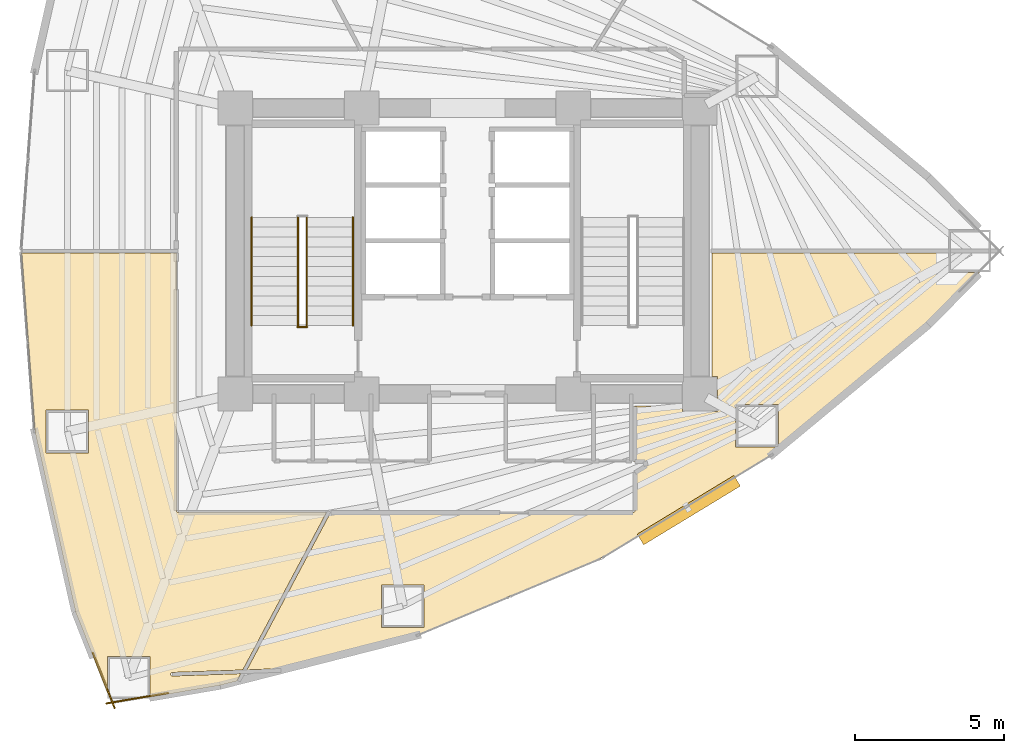
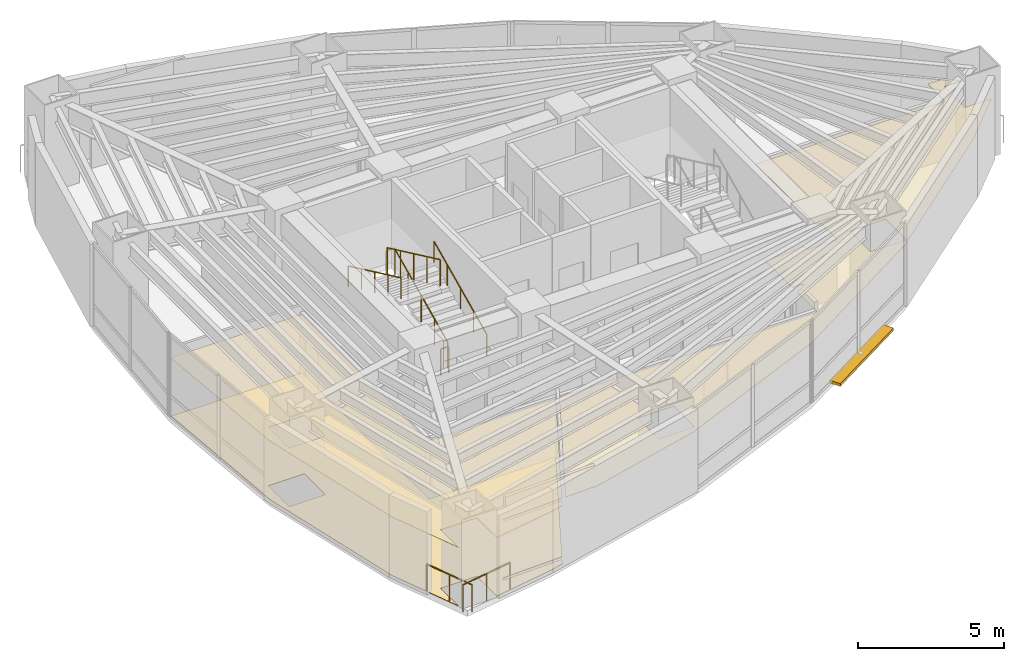
# One storey, part 16 of 18: 7 railings, 3 coverings, 1 shading device.
"""IFC4 building model written with IfcOpenShell, lengths in metres."""

from ifc_helpers import new_model, si_unit, direction, frame, origin, origin_2d, place, context, subcontext, project, spatial, polyline, rectangle, circle, outline, extrude, material, layer, layer_set, type_object, element, save


model = new_model("IFC4")

# Units and contexts
model_context = context("Model", 3, precision=1e-05, world=origin(), true_north=direction((0.0, 1.0)))
body_context = subcontext(model_context, "Body", "Model", "MODEL_VIEW")
ifc_project = project(units=[si_unit("LENGTHUNIT", "METRE"), si_unit("AREAUNIT", "SQUARE_METRE"), si_unit("VOLUMEUNIT", "CUBIC_METRE"), si_unit("PLANEANGLEUNIT", "RADIAN"), si_unit("MASSUNIT", "GRAM", prefix="KILO")], contexts=[model_context])

# Site, building, storey
site_placement = place(None, origin())
site = spatial("IfcSite", under=ifc_project, at=site_placement, CompositionType="ELEMENT")
building_placement = place(site_placement, origin())
building = spatial("IfcBuilding", under=site, at=building_placement, Name="Menara Vayukalpa", CompositionType="ELEMENT")
storey_placement = place(building_placement, frame((0.0, 0.0, 31.320068359375)))
storey = spatial("IfcBuildingStorey", under=building, at=storey_placement, Name="L06", CompositionType="ELEMENT", Elevation=31.320068359375)

# Coverings
ifc_material_1 = material(Name="Mineral Fibre Acoustic Ceiling Tile", Category="masonry")
ifc_layer_1 = layer(ifc_material_1, 0.02490234375)
ifc_layer_set_1 = layer_set([ifc_layer_1], Name="Mineral Fibre Acoustic Ceiling Tile")
covering_type_1 = type_object("IfcCoveringType", Name="COV-CLG1", PredefinedType="CEILING", material=ifc_layer_set_1)
covering_1_placement = place(storey_placement, frame((0.0, 0.0, 2.449951171875)))
element("IfcCovering", 1, at=covering_1_placement, inside=storey, type_object=covering_type_1, Name="L06 Open Plan Office Workplace Acoustic Ceiling", PredefinedType="CEILING", context=body_context, shape_type="SweptSolid", body=[
    extrude(outline(polyline([(12.4375, 9.883056640625), (12.437255859375, 9.8837890625), (12.43701171875, 9.884521484375), (11.07421875, 15.941162109375), (11.073974609375, 15.942626953125), (10.625, 21.92919921875), (10.625, 21.93017578125), (10.625, 21.93115234375), (10.625244140625, 21.93212890625), (10.62548828125, 21.93310546875), (10.625732421875, 21.93408203125), (10.626220703125, 21.934814453125), (10.626708984375, 21.935791015625), (10.627197265625, 21.936279296875), (10.6279296875, 21.93701171875), (10.628662109375, 21.937744140625), (10.62939453125, 21.9384765625), (10.63037109375, 21.93896484375), (10.631103515625, 21.939208984375), (10.632080078125, 21.939697265625), (10.633056640625, 21.939697265625), (10.634033203125, 21.93994140625), (10.635009765625, 21.93994140625), (15.820068359375, 21.93994140625), (15.821044921875, 21.93994140625), (15.822021484375, 21.939697265625), (15.822998046875, 21.939697265625), (15.82373046875, 21.939208984375), (15.82470703125, 21.938720703125), (15.82568359375, 21.938232421875), (15.826416015625, 21.937744140625), (15.8271484375, 21.93701171875), (15.82763671875, 21.936279296875), (15.828369140625, 21.935546875), (15.828857421875, 21.934814453125), (15.8291015625, 21.933837890625), (15.82958984375, 21.932861328125), (15.829833984375, 21.931884765625), (15.830078125, 21.930908203125), (15.830078125, 21.929931640625), (15.830078125, 13.290283203125), (15.830322265625, 13.283203125), (15.831298828125, 13.2763671875), (15.8330078125, 13.269775390625), (15.835205078125, 13.26318359375), (15.838134765625, 13.257080078125), (15.841796875, 13.251220703125), (15.845947265625, 13.24560546875), (15.8505859375, 13.240478515625), (15.85546875, 13.236083984375), (15.861083984375, 13.231689453125), (15.866943359375, 13.228271484375), (15.873291015625, 13.225341796875), (15.879638671875, 13.222900390625), (15.88623046875, 13.22119140625), (15.893310546875, 13.220458984375), (15.900390625, 13.219970703125), (20.846923828125, 13.219970703125), (20.847900390625, 13.219970703125), (20.848876953125, 13.2197265625), (20.849853515625, 13.219482421875), (20.850830078125, 13.21923828125), (20.851806640625, 13.21875), (20.8525390625, 13.21826171875), (20.853271484375, 13.2177734375), (20.85400390625, 13.217041015625), (20.854736328125, 13.21630859375), (20.855224609375, 13.215576171875), (20.855712890625, 13.214599609375), (20.856201171875, 13.2138671875), (20.856689453125, 13.212890625), (20.856689453125, 13.2119140625), (20.85693359375, 13.2109375), (20.85693359375, 13.2099609375), (20.85693359375, 13.208984375), (20.856689453125, 13.2080078125), (20.856689453125, 13.20703125), (20.856201171875, 13.206298828125), (20.855712890625, 13.205322265625), (18.054443359375, 7.936767578125), (18.053955078125, 7.935791015625), (18.053466796875, 7.93505859375), (18.052734375, 7.934326171875), (18.052001953125, 7.933837890625), (18.05126953125, 7.93310546875), (18.050537109375, 7.9326171875), (18.049560546875, 7.932373046875), (18.048828125, 7.931884765625), (18.0478515625, 7.931640625), (18.046875, 7.931396484375), (18.0458984375, 7.931396484375), (15.68798828125, 7.84912109375), (15.681884765625, 7.8486328125), (15.67626953125, 7.847412109375), (15.67041015625, 7.845703125), (15.6650390625, 7.84375), (15.659912109375, 7.8408203125), (15.65478515625, 7.837890625), (15.650146484375, 7.833984375), (15.64599609375, 7.830078125), (15.642333984375, 7.825439453125), (15.638916015625, 7.82080078125), (15.635986328125, 7.8154296875), (15.6337890625, 7.81005859375), (15.632080078125, 7.804443359375), (15.630615234375, 7.798583984375), (15.630126953125, 7.79296875), (15.6298828125, 7.786865234375), (15.63037109375, 7.781005859375), (15.631591796875, 7.775390625), (15.63330078125, 7.76953125), (15.63525390625, 7.76416015625), (15.63818359375, 7.7587890625), (15.64111328125, 7.754150390625), (15.64501953125, 7.74951171875), (15.64892578125, 7.7451171875), (15.653564453125, 7.741455078125), (15.658447265625, 7.738037109375), (15.66357421875, 7.735107421875), (15.6689453125, 7.73291015625), (15.674560546875, 7.731201171875), (15.680419921875, 7.72998046875), (15.686279296875, 7.729248046875), (15.6923828125, 7.72900390625), (17.969482421875, 7.80859375), (17.97021484375, 7.80859375), (17.97119140625, 7.80859375), (17.972412109375, 7.808349609375), (17.973388671875, 7.807861328125), (17.97412109375, 7.8076171875), (17.97509765625, 7.80712890625), (17.975830078125, 7.806396484375), (17.9765625, 7.805908203125), (17.977294921875, 7.80517578125), (17.977783203125, 7.80419921875), (17.978515625, 7.803466796875), (17.97900390625, 7.802490234375), (17.979248046875, 7.801513671875), (17.9794921875, 7.80078125), (17.9794921875, 7.7998046875), (17.979736328125, 7.798583984375), (17.979736328125, 7.797607421875), (17.9794921875, 7.796630859375), (17.979248046875, 7.795654296875), (17.97900390625, 7.794921875), (17.978515625, 7.7939453125), (17.86767578125, 7.585205078125), (17.864990234375, 7.57958984375), (17.863037109375, 7.57421875), (17.861572265625, 7.568603515625), (17.861572265625, 7.568359375), (17.861328125, 7.5673828125), (17.861083984375, 7.56640625), (17.860595703125, 7.5654296875), (17.860107421875, 7.564697265625), (17.859375, 7.563720703125), (17.858642578125, 7.56298828125), (17.85791015625, 7.5625), (17.857177734375, 7.561767578125), (17.856201171875, 7.561279296875), (17.855224609375, 7.560791015625), (17.854248046875, 7.560546875), (17.285888671875, 7.415771484375), (17.28515625, 7.41552734375), (14.9326171875, 7.01611328125), (14.9326171875, 8.380615234375), (13.502685546875, 8.380615234375), (13.502685546875, 7.1708984375), (12.4375, 9.883056640625)]), holes=[polyline([(12.879150390625, 16.655517578125), (11.44921875, 16.655517578125), (11.44921875, 15.225341796875), (12.879150390625, 15.225341796875), (12.879150390625, 16.655517578125)])]), origin(), (0.0, 0.0, 1.0), 0.02490234375),
])
covering_2_placement = place(storey_placement, frame((0.0, 0.0, 2.449951171875)))
element("IfcCovering", 2, at=covering_2_placement, inside=storey, type_object=covering_type_1, Name="L06 Executive Boardroom Acoustic Ceiling", PredefinedType="CEILING", context=body_context, shape_type="SweptSolid", body=[
    extrude(outline(polyline([(23.916015625, 9.106689453125), (23.914794921875, 9.106201171875), (19.385498046875, 7.951171875), (19.384521484375, 7.950927734375), (19.38330078125, 7.95068359375), (19.382568359375, 7.95068359375), (19.381591796875, 7.950927734375), (19.380615234375, 7.951171875), (19.379638671875, 7.951416015625), (19.378662109375, 7.95166015625), (19.377685546875, 7.9521484375), (19.376953125, 7.95263671875), (19.376220703125, 7.953369140625), (19.37548828125, 7.9541015625), (19.375, 7.954833984375), (19.3740234375, 7.955810546875), (19.3701171875, 7.960205078125), (19.365478515625, 7.9638671875), (19.360595703125, 7.96728515625), (19.355712890625, 7.969970703125), (19.35009765625, 7.972412109375), (19.344482421875, 7.97412109375), (19.3388671875, 7.975341796875), (19.3330078125, 7.97607421875), (19.326904296875, 7.97607421875), (18.20751953125, 7.93701171875), (18.20654296875, 7.93701171875), (18.20556640625, 7.93701171875), (18.20458984375, 7.937255859375), (18.20361328125, 7.937744140625), (18.20263671875, 7.93798828125), (18.201904296875, 7.9384765625), (18.200927734375, 7.939208984375), (18.2001953125, 7.939697265625), (18.19970703125, 7.9404296875), (18.198974609375, 7.94140625), (18.198486328125, 7.942138671875), (18.197998046875, 7.943115234375), (18.19775390625, 7.944091796875), (18.197509765625, 7.94482421875), (18.197265625, 7.94580078125), (18.197265625, 7.947021484375), (18.197265625, 7.947998046875), (18.197509765625, 7.948974609375), (18.197509765625, 7.949951171875), (18.197998046875, 7.95068359375), (18.198486328125, 7.95166015625), (20.996826171875, 13.214599609375), (20.997314453125, 13.215576171875), (20.997802734375, 13.21630859375), (20.99853515625, 13.217041015625), (20.999267578125, 13.2177734375), (21.0, 13.21826171875), (21.0009765625, 13.21875), (21.001708984375, 13.21923828125), (21.002685546875, 13.219482421875), (21.003662109375, 13.2197265625), (21.004638671875, 13.219970703125), (21.005615234375, 13.219970703125), (31.149658203125, 13.219970703125), (31.15673828125, 13.220458984375), (31.163818359375, 13.22119140625), (31.17041015625, 13.222900390625), (31.1767578125, 13.225341796875), (31.18310546875, 13.228271484375), (31.188720703125, 13.231689453125), (31.194580078125, 13.236083984375), (31.199462890625, 13.240478515625), (31.2041015625, 13.24560546875), (31.208251953125, 13.251220703125), (31.2119140625, 13.257080078125), (31.214599609375, 13.26318359375), (31.217041015625, 13.269775390625), (31.21875, 13.2763671875), (31.219482421875, 13.283203125), (31.219970703125, 13.290283203125), (31.219970703125, 14.55810546875), (31.22021484375, 14.55908203125), (31.22021484375, 14.56005859375), (31.220458984375, 14.56103515625), (31.220703125, 14.56201171875), (31.22119140625, 14.56298828125), (31.2216796875, 14.563720703125), (31.222412109375, 14.564697265625), (31.22314453125, 14.565185546875), (31.22412109375, 14.56591796875), (31.224853515625, 14.56640625), (31.5927734375, 14.7900390625), (31.5986328125, 14.794189453125), (31.60400390625, 14.798583984375), (31.60888671875, 14.803466796875), (31.61328125, 14.80908203125), (31.6171875, 14.81494140625), (31.620361328125, 14.821044921875), (31.622802734375, 14.82763671875), (31.624755859375, 14.83447265625), (31.626220703125, 14.84130859375), (31.626708984375, 14.84814453125), (31.62646484375, 14.85498046875), (31.62548828125, 14.862060546875), (31.6240234375, 14.868896484375), (31.621826171875, 14.87548828125), (31.618896484375, 14.8818359375), (31.615478515625, 14.887939453125), (31.611328125, 14.8935546875), (31.606689453125, 14.898681640625), (31.6015625, 14.903564453125), (31.59619140625, 14.90771484375), (31.590087890625, 14.911376953125), (31.583740234375, 14.91455078125), (31.5771484375, 14.916748046875), (31.570556640625, 14.918701171875), (31.563720703125, 14.919677734375), (31.556396484375, 14.919921875), (31.219970703125, 14.919921875), (31.218994140625, 14.919921875), (31.218017578125, 14.920166015625), (31.217041015625, 14.92041015625), (31.21630859375, 14.9208984375), (31.21533203125, 14.921142578125), (31.21435546875, 14.921630859375), (31.213623046875, 14.92236328125), (31.212890625, 14.9228515625), (31.21240234375, 14.923583984375), (31.211669921875, 14.92431640625), (31.211181640625, 14.92529296875), (31.210693359375, 14.92626953125), (31.21044921875, 14.927001953125), (31.210205078125, 14.927978515625), (31.2099609375, 14.928955078125), (31.2099609375, 14.929931640625), (31.2099609375, 16.780029296875), (31.2099609375, 16.781005859375), (31.210205078125, 16.781982421875), (31.21044921875, 16.782958984375), (31.210693359375, 16.78369140625), (31.211181640625, 16.78466796875), (31.211669921875, 16.78564453125), (31.21240234375, 16.786376953125), (31.212890625, 16.787109375), (31.213623046875, 16.78759765625), (31.21435546875, 16.788330078125), (31.21533203125, 16.788818359375), (31.21630859375, 16.789306640625), (31.217041015625, 16.78955078125), (31.218017578125, 16.789794921875), (31.218994140625, 16.7900390625), (31.219970703125, 16.7900390625), (32.389892578125, 16.7900390625), (32.389892578125, 16.85009765625), (32.81005859375, 16.85009765625), (32.81005859375, 16.610107421875), (33.989990234375, 16.610107421875), (33.989990234375, 17.7900390625), (33.81005859375, 17.7900390625), (33.81005859375, 21.929931640625), (33.81005859375, 21.930908203125), (33.810302734375, 21.931884765625), (33.810302734375, 21.932861328125), (33.810791015625, 21.933837890625), (33.811279296875, 21.934814453125), (33.811767578125, 21.935546875), (33.812255859375, 21.936279296875), (33.81298828125, 21.93701171875), (33.813720703125, 21.937744140625), (33.814453125, 21.938232421875), (33.815185546875, 21.938720703125), (33.816162109375, 21.939208984375), (33.817138671875, 21.939697265625), (33.818115234375, 21.939697265625), (33.819091796875, 21.93994140625), (33.820068359375, 21.93994140625), (41.329833984375, 21.93994140625), (41.329833984375, 23.135009765625), (42.008056640625, 23.135009765625), (42.42041015625, 22.715087890625), (41.749755859375, 22.715087890625), (41.749755859375, 21.284912109375), (42.798828125, 21.284912109375), (41.078369140625, 19.53271484375), (41.07763671875, 19.531982421875), (35.81201171875, 15.165283203125), (35.810791015625, 15.164306640625), (30.09130859375, 11.68994140625), (30.090576171875, 11.689697265625), (30.08984375, 11.689208984375), (23.916015625, 9.106689453125)]), holes=[polyline([(24.134521484375, 10.792236328125), (22.704345703125, 10.792236328125), (22.704345703125, 9.3623046875), (24.134521484375, 9.3623046875), (24.134521484375, 10.792236328125)]), polyline([(36.032958984375, 16.851806640625), (34.60302734375, 16.851806640625), (34.60302734375, 15.421875), (36.032958984375, 15.421875), (36.032958984375, 16.851806640625)])]), origin(), (0.0, 0.0, 1.0), 0.02490234375),
])
ifc_material_2 = material(Name="Porcelain Stoneware Floor Tile", Category="masonry")
ifc_layer_2 = layer(ifc_material_2, 0.02001953125)
ifc_layer_set_2 = layer_set([ifc_layer_2], Name="Porcelain Stoneware Floor Tile")
covering_type_2 = type_object("IfcCoveringType", Name="COV-FLR1", PredefinedType="FLOORING", material=ifc_layer_set_2)
covering_3_placement = place(storey_placement, origin())
element("IfcCovering", 3, at=covering_3_placement, inside=storey, type_object=covering_type_2, Name="L06 Open Plan Office Workplace Porcelain Flooring", PredefinedType="FLOORING", context=body_context, shape_type="SweptSolid", body=[
    extrude(outline(polyline([(12.4375, 9.883056640625), (12.437255859375, 9.8837890625), (12.43701171875, 9.884521484375), (11.07421875, 15.941162109375), (11.073974609375, 15.942626953125), (10.625, 21.92919921875), (10.625, 21.93017578125), (10.625, 21.93115234375), (10.625244140625, 21.93212890625), (10.62548828125, 21.93310546875), (10.625732421875, 21.93408203125), (10.626220703125, 21.934814453125), (10.626708984375, 21.935791015625), (10.627197265625, 21.936279296875), (10.6279296875, 21.93701171875), (10.628662109375, 21.937744140625), (10.62939453125, 21.9384765625), (10.63037109375, 21.93896484375), (10.631103515625, 21.939208984375), (10.632080078125, 21.939697265625), (10.633056640625, 21.939697265625), (10.634033203125, 21.93994140625), (10.635009765625, 21.93994140625), (15.820068359375, 21.93994140625), (15.821044921875, 21.93994140625), (15.822021484375, 21.939697265625), (15.822998046875, 21.939697265625), (15.82373046875, 21.939208984375), (15.82470703125, 21.938720703125), (15.82568359375, 21.938232421875), (15.826416015625, 21.937744140625), (15.8271484375, 21.93701171875), (15.82763671875, 21.936279296875), (15.828369140625, 21.935546875), (15.828857421875, 21.934814453125), (15.8291015625, 21.933837890625), (15.82958984375, 21.932861328125), (15.829833984375, 21.931884765625), (15.830078125, 21.930908203125), (15.830078125, 21.929931640625), (15.830078125, 13.290283203125), (15.830322265625, 13.283203125), (15.831298828125, 13.2763671875), (15.8330078125, 13.269775390625), (15.835205078125, 13.26318359375), (15.838134765625, 13.257080078125), (15.841796875, 13.251220703125), (15.845947265625, 13.24560546875), (15.8505859375, 13.240478515625), (15.85546875, 13.236083984375), (15.861083984375, 13.231689453125), (15.866943359375, 13.228271484375), (15.873291015625, 13.225341796875), (15.879638671875, 13.222900390625), (15.88623046875, 13.22119140625), (15.893310546875, 13.220458984375), (15.900390625, 13.219970703125), (20.846923828125, 13.219970703125), (20.847900390625, 13.219970703125), (20.848876953125, 13.2197265625), (20.849853515625, 13.219482421875), (20.850830078125, 13.21923828125), (20.851806640625, 13.21875), (20.8525390625, 13.21826171875), (20.853271484375, 13.2177734375), (20.85400390625, 13.217041015625), (20.854736328125, 13.21630859375), (20.855224609375, 13.215576171875), (20.855712890625, 13.214599609375), (20.856201171875, 13.2138671875), (20.856689453125, 13.212890625), (20.856689453125, 13.2119140625), (20.85693359375, 13.2109375), (20.85693359375, 13.2099609375), (20.85693359375, 13.208984375), (20.856689453125, 13.2080078125), (20.856689453125, 13.20703125), (20.856201171875, 13.206298828125), (20.855712890625, 13.205322265625), (18.054443359375, 7.936767578125), (18.053955078125, 7.935791015625), (18.053466796875, 7.93505859375), (18.052734375, 7.934326171875), (18.052001953125, 7.933837890625), (18.05126953125, 7.93310546875), (18.050537109375, 7.9326171875), (18.049560546875, 7.932373046875), (18.048828125, 7.931884765625), (18.0478515625, 7.931640625), (18.046875, 7.931396484375), (18.0458984375, 7.931396484375), (15.68798828125, 7.84912109375), (15.681884765625, 7.8486328125), (15.67626953125, 7.847412109375), (15.67041015625, 7.845703125), (15.6650390625, 7.84375), (15.659912109375, 7.8408203125), (15.65478515625, 7.837890625), (15.650146484375, 7.833984375), (15.64599609375, 7.830078125), (15.642333984375, 7.825439453125), (15.638916015625, 7.82080078125), (15.635986328125, 7.8154296875), (15.6337890625, 7.81005859375), (15.632080078125, 7.804443359375), (15.630615234375, 7.798583984375), (15.630126953125, 7.79296875), (15.6298828125, 7.786865234375), (15.63037109375, 7.781005859375), (15.631591796875, 7.775390625), (15.63330078125, 7.76953125), (15.63525390625, 7.76416015625), (15.63818359375, 7.7587890625), (15.64111328125, 7.754150390625), (15.64501953125, 7.74951171875), (15.64892578125, 7.7451171875), (15.653564453125, 7.741455078125), (15.658447265625, 7.738037109375), (15.66357421875, 7.735107421875), (15.6689453125, 7.73291015625), (15.674560546875, 7.731201171875), (15.680419921875, 7.72998046875), (15.686279296875, 7.729248046875), (15.6923828125, 7.72900390625), (17.969482421875, 7.80859375), (17.97021484375, 7.80859375), (17.97119140625, 7.80859375), (17.972412109375, 7.808349609375), (17.973388671875, 7.807861328125), (17.97412109375, 7.8076171875), (17.97509765625, 7.80712890625), (17.975830078125, 7.806396484375), (17.9765625, 7.805908203125), (17.977294921875, 7.80517578125), (17.977783203125, 7.80419921875), (17.978515625, 7.803466796875), (17.97900390625, 7.802490234375), (17.979248046875, 7.801513671875), (17.9794921875, 7.80078125), (17.9794921875, 7.7998046875), (17.979736328125, 7.798583984375), (17.979736328125, 7.797607421875), (17.9794921875, 7.796630859375), (17.979248046875, 7.795654296875), (17.97900390625, 7.794921875), (17.978515625, 7.7939453125), (17.86767578125, 7.585205078125), (17.864990234375, 7.57958984375), (17.863037109375, 7.57421875), (17.861572265625, 7.568603515625), (17.861572265625, 7.568359375), (17.861328125, 7.5673828125), (17.861083984375, 7.56640625), (17.860595703125, 7.5654296875), (17.860107421875, 7.564697265625), (17.859375, 7.563720703125), (17.858642578125, 7.56298828125), (17.85791015625, 7.5625), (17.857177734375, 7.561767578125), (17.856201171875, 7.561279296875), (17.855224609375, 7.560791015625), (17.854248046875, 7.560546875), (17.285888671875, 7.415771484375), (17.28515625, 7.41552734375), (14.9326171875, 7.01611328125), (14.9326171875, 8.380615234375), (13.502685546875, 8.380615234375), (13.502685546875, 7.1708984375), (12.4375, 9.883056640625)]), holes=[polyline([(12.879150390625, 16.655517578125), (11.44921875, 16.655517578125), (11.44921875, 15.225341796875), (12.879150390625, 15.225341796875), (12.879150390625, 16.655517578125)])]), origin(), (0.0, 0.0, 1.0), 0.02001953125),
])

# Railings
ifc_material_3 = material(Name="Laminated Glass and Stainless Steel 316 Guardrail", Category="steel")
railing_type_1 = type_object("IfcRailingType", Name="RLG-EXT115", PredefinedType="GUARDRAIL", material=ifc_material_3)
railing_1_placement = place(storey_placement, frame((13.02099609375, 8.50634765625, 0.0)))
element("IfcRailing", 4, at=railing_1_placement, inside=storey, type_object=railing_type_1, Name="L06 Column Corner Spandrel Guardrail 13-1", PredefinedType="GUARDRAIL", context=body_context, shape_type="SweptSolid", body=[
    extrude(circle(Radius=0.02392578125, at=origin_2d()), frame((0.0, 0.0, 1.1259765625), z_axis=(0.365580158762, -0.930779859859, 0.0), x_axis=(0.930779859859, 0.365580158762, 0.0)), (0.0, 0.0, 1.0), 1.9873046875),
    extrude(circle(Radius=0.02099609375, at=origin_2d()), origin(), (0.0, 0.0, 1.0), 1.101806640625),
    extrude(circle(Radius=0.02099609375, at=origin_2d()), frame((0.36328125, -0.9248046875, 0.0)), (0.0, 0.0, 1.0), 1.101806640625),
    extrude(circle(Radius=0.02099609375, at=origin_2d()), frame((0.7265625, -1.849853515625, 0.0)), (0.0, 0.0, 1.0), 1.101806640625),
])
railing_2_placement = place(storey_placement, frame((13.4765625, 6.8095703125, 0.0)))
element("IfcRailing", 5, at=railing_2_placement, inside=storey, type_object=railing_type_1, Name="L06 Column Corner Spandrel Guardrail 14-1", PredefinedType="GUARDRAIL", context=body_context, shape_type="SweptSolid", body=[
    extrude(circle(Radius=0.02392578125, at=origin_2d()), frame((0.0, 0.0, 1.1259765625), z_axis=(0.985904350491, 0.167309927029, 0.0), x_axis=(-0.167309927029, 0.985904350491, 0.0)), (0.0, 0.0, 1.0), 2.093994140625),
    extrude(circle(Radius=0.02099609375, at=origin_2d()), origin(), (0.0, 0.0, 1.0), 1.101806640625),
    extrude(circle(Radius=0.02099609375, at=origin_2d()), frame((1.0322265625, 0.17529296875, 0.0)), (0.0, 0.0, 1.0), 1.101806640625),
    extrude(circle(Radius=0.02099609375, at=origin_2d()), frame((2.064453125, 0.350341796875, 0.0)), (0.0, 0.0, 1.0), 1.101806640625),
])
ifc_material_4 = material(Name="Powder-Coated Galvanised Steel Guardrail", Category="steel")
railing_type_2 = type_object("IfcRailingType", Name="RLG-STG110", PredefinedType="GUARDRAIL", material=ifc_material_4)
railing_3_placement = place(storey_placement, frame((20.199951171875, 19.5, 0.155029296875)))
element("IfcRailing", 6, at=railing_3_placement, inside=storey, type_object=railing_type_2, Name="L06 ST-1 stair guard 1", PredefinedType="GUARDRAIL", context=body_context, shape_type="SweptSolid", body=[
    extrude(circle(Radius=0.02392578125, at=origin_2d()), frame((0.0, 0.0, 1.09619140625), z_axis=(0.0, 0.90513990983, 0.425113800803), x_axis=(-1.0, 0.0, 0.0)), (0.0, 0.0, 1.0), 4.01025390625),
    extrude(circle(Radius=0.02099609375, at=origin_2d()), origin(), (0.0, 0.0, 1.0), 1.072021484375),
    extrude(circle(Radius=0.02099609375, at=origin_2d()), frame((0.0, 0.907470703125, 0.42626953125)), (0.0, 0.0, 1.0), 1.072021484375),
    extrude(circle(Radius=0.02099609375, at=origin_2d()), frame((0.0, 1.81494140625, 0.8525390625)), (0.0, 0.0, 1.0), 1.072021484375),
    extrude(circle(Radius=0.02099609375, at=origin_2d()), frame((0.0, 2.722412109375, 1.278564453125)), (0.0, 0.0, 1.0), 1.072021484375),
    extrude(circle(Radius=0.02099609375, at=origin_2d()), frame((0.0, 3.6298828125, 1.704833984375)), (0.0, 0.0, 1.0), 1.072021484375),
])
railing_4_placement = place(storey_placement, frame((19.89990234375, 23.1298828125, 2.014892578125)))
element("IfcRailing", 7, at=railing_4_placement, inside=storey, type_object=railing_type_2, Name="L06 ST-1 stair guard 3", PredefinedType="GUARDRAIL", context=body_context, shape_type="SweptSolid", body=[
    extrude(circle(Radius=0.02392578125, at=origin_2d()), frame((0.0, 0.0, 1.09619140625), z_axis=(0.0, -0.90511648382, 0.425163675209), x_axis=(1.0, 0.0, 0.0)), (0.0, 0.0, 1.0), 4.010498046875),
    extrude(circle(Radius=0.02099609375, at=origin_2d()), origin(), (0.0, 0.0, 1.0), 1.072021484375),
    extrude(circle(Radius=0.02099609375, at=origin_2d()), frame((0.0, -0.907470703125, 0.42626953125)), (0.0, 0.0, 1.0), 1.072021484375),
    extrude(circle(Radius=0.02099609375, at=origin_2d()), frame((0.0, -1.81494140625, 0.8525390625)), (0.0, 0.0, 1.0), 1.072021484375),
    extrude(circle(Radius=0.02099609375, at=origin_2d()), frame((0.0, -2.722412109375, 1.27880859375)), (0.0, 0.0, 1.0), 1.072021484375),
    extrude(circle(Radius=0.02099609375, at=origin_2d()), frame((0.0, -3.6298828125, 1.705078125)), (0.0, 0.0, 1.0), 1.072021484375),
])
railing_5_placement = place(storey_placement, frame((20.2099609375, 19.449951171875, 0.0)))
element("IfcRailing", 8, at=railing_5_placement, inside=storey, type_object=railing_type_2, Name="L06 ST-1 stair guard 4", PredefinedType="GUARDRAIL", context=body_context, shape_type="SweptSolid", body=[
    extrude(circle(Radius=0.02392578125, at=origin_2d()), frame((0.0, 0.0, 1.09619140625), z_axis=(-1.0, 0.0, 0.0), x_axis=(0.0, -1.0, 0.0)), (0.0, 0.0, 1.0), 0.320068359375),
    extrude(circle(Radius=0.02099609375, at=origin_2d()), origin(), (0.0, 0.0, 1.0), 1.072021484375),
    extrude(circle(Radius=0.02099609375, at=origin_2d()), frame((-0.320068359375, 0.0, 0.0)), (0.0, 0.0, 1.0), 1.072021484375),
])
ifc_material_5 = material(Name="Stainless Steel 316 Tubular Handrail", Category="steel")
railing_type_3 = type_object("IfcRailingType", Name="RLG-STH090", PredefinedType="HANDRAIL", material=ifc_material_5)
railing_6_placement = place(storey_placement, frame((21.75, 19.5, 0.155029296875)))
element("IfcRailing", 9, at=railing_6_placement, inside=storey, type_object=railing_type_3, Name="L06 ST-1 stair handrail 1", PredefinedType="HANDRAIL", context=body_context, shape_type="SweptSolid", body=[
    extrude(circle(Radius=0.02392578125, at=origin_2d()), frame((0.0, 0.0, 0.8759765625), z_axis=(0.0, 0.90513990983, 0.425113800803), x_axis=(-1.0, 0.0, 0.0)), (0.0, 0.0, 1.0), 4.01025390625),
    extrude(circle(Radius=0.02099609375, at=origin_2d()), origin(), (0.0, 0.0, 1.0), 0.851806640625),
    extrude(circle(Radius=0.02099609375, at=origin_2d()), frame((0.0, 0.907470703125, 0.42626953125)), (0.0, 0.0, 1.0), 0.851806640625),
    extrude(circle(Radius=0.02099609375, at=origin_2d()), frame((0.0, 1.81494140625, 0.8525390625)), (0.0, 0.0, 1.0), 0.851806640625),
    extrude(circle(Radius=0.02099609375, at=origin_2d()), frame((0.0, 2.722412109375, 1.278564453125)), (0.0, 0.0, 1.0), 0.851806640625),
    extrude(circle(Radius=0.02099609375, at=origin_2d()), frame((0.0, 3.6298828125, 1.704833984375)), (0.0, 0.0, 1.0), 0.851806640625),
])
railing_7_placement = place(storey_placement, frame((18.35009765625, 23.1298828125, 2.014892578125)))
element("IfcRailing", 10, at=railing_7_placement, inside=storey, type_object=railing_type_3, Name="L06 ST-1 stair handrail 2", PredefinedType="HANDRAIL", context=body_context, shape_type="SweptSolid", body=[
    extrude(circle(Radius=0.02392578125, at=origin_2d()), frame((0.0, 0.0, 0.8759765625), z_axis=(0.0, -0.90511648382, 0.425163675209), x_axis=(1.0, 0.0, 0.0)), (0.0, 0.0, 1.0), 4.010498046875),
    extrude(circle(Radius=0.02099609375, at=origin_2d()), origin(), (0.0, 0.0, 1.0), 0.851806640625),
    extrude(circle(Radius=0.02099609375, at=origin_2d()), frame((0.0, -0.907470703125, 0.42626953125)), (0.0, 0.0, 1.0), 0.851806640625),
    extrude(circle(Radius=0.02099609375, at=origin_2d()), frame((0.0, -1.81494140625, 0.8525390625)), (0.0, 0.0, 1.0), 0.851806640625),
    extrude(circle(Radius=0.02099609375, at=origin_2d()), frame((0.0, -2.722412109375, 1.27880859375)), (0.0, 0.0, 1.0), 0.851806640625),
    extrude(circle(Radius=0.02099609375, at=origin_2d()), frame((0.0, -3.6298828125, 1.705078125)), (0.0, 0.0, 1.0), 0.851806640625),
])

# Shading device
ifc_material_6 = material(Name="Glazed Terracotta Ceramic Baguette Extrusion", Category="masonry")
ifc_layer_3 = layer(ifc_material_6, 0.1201171875)
ifc_layer_set_3 = layer_set([ifc_layer_3], Name="Glazed Terracotta Ceramic Baguette Extrusion")
shading_device_type = type_object("IfcShadingDeviceType", Name="SHD-SS1", PredefinedType="USERDEFINED", material=ifc_layer_set_3)
shading_device_placement = place(storey_placement, frame((33.02880859375, 13.298828125, -0.10009765625), z_axis=(0.0, 0.0, 1.0), x_axis=(0.85466730962, 0.519176068272, 0.0)))
element("IfcShadingDevice", 11, at=shading_device_placement, inside=storey, type_object=shading_device_type, Name="L06 Horizontal Terracotta Sunshade Band 17", ObjectType="SUNSHADE", PredefinedType="USERDEFINED", context=body_context, shape_type="SweptSolid", body=[
    extrude(rectangle(XDim=3.800048828125, YDim=0.419921875, at=origin_2d()), origin(), (0.0, 0.0, 1.0), 0.1201171875),
])

save(model, "model.ifc")
